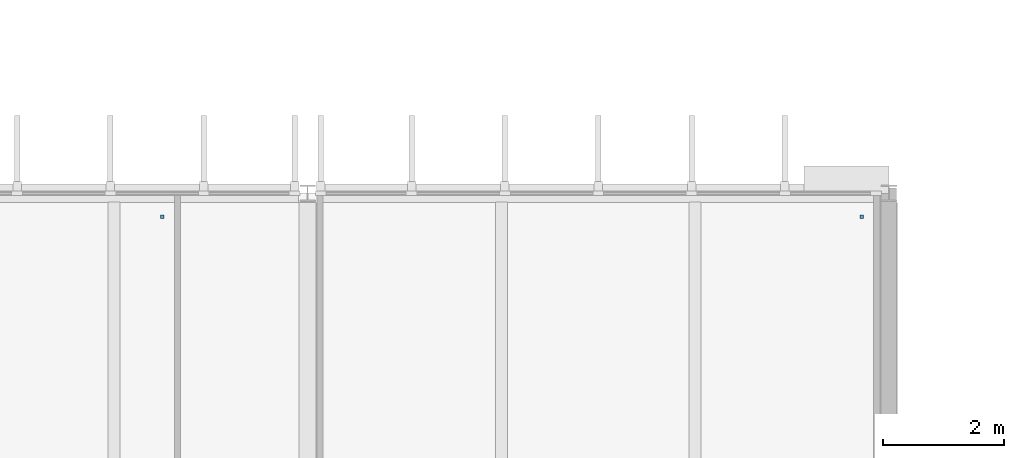
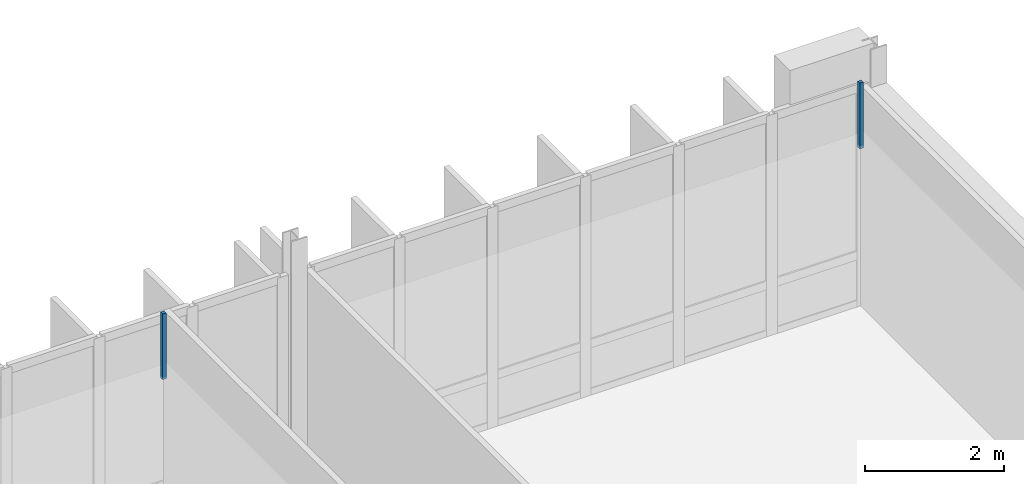
# One storey, part 75 of 93: 2 discrete accessories.
"""IFC4 building model written with IfcOpenShell, lengths in metres."""

from ifc_helpers import new_model, si_unit, direction, frame, origin, place, context, subcontext, project, spatial, polyline, outline, extrude, material, type_object, element, save


model = new_model("IFC4")

# Units and contexts
model_context = context("Model", 3, precision=1e-05, world=origin(), true_north=direction((0.0, 1.0)))
body_context = subcontext(model_context, "Body", "Model", "MODEL_VIEW")
ifc_project = project(units=[si_unit("LENGTHUNIT", "METRE"), si_unit("AREAUNIT", "SQUARE_METRE"), si_unit("VOLUMEUNIT", "CUBIC_METRE"), si_unit("PLANEANGLEUNIT", "RADIAN"), si_unit("MASSUNIT", "GRAM", prefix="KILO")], contexts=[model_context])

# Site, building, storey
site_placement = place(None, origin())
site = spatial("IfcSite", under=ifc_project, at=site_placement, CompositionType="ELEMENT")
building_placement = place(site_placement, origin())
building = spatial("IfcBuilding", under=site, at=building_placement, Name="Dunescarp Central Library", CompositionType="ELEMENT")
storey_placement = place(building_placement, frame((0.0, 0.0, 14.10009765625)))
storey = spatial("IfcBuildingStorey", under=building, at=storey_placement, Name="L03", CompositionType="ELEMENT", Elevation=14.10009765625)

# Discrete accessories
ifc_material = material(Name="Stainless steel Grade 316L", Category="steel")
discrete_accessory_type = type_object("IfcDiscreteAccessoryType", Name="ARC-ACC-BRK", PredefinedType="BRACKET", material=ifc_material)
discrete_accessory_1_placement = place(storey_placement, frame((0.0, 0.0, 3.059814453125)))
element("IfcDiscreteAccessory", 1, at=discrete_accessory_1_placement, inside=storey, type_object=discrete_accessory_type, Name="L03 ceiling hanger CLG-L03-072-H2", PredefinedType="BRACKET", context=body_context, shape_type="SweptSolid", body=[
    extrude(outline(polyline([(76.320068359375, 36.3798828125), (76.3798828125, 36.3798828125), (76.3798828125, 36.43994140625), (76.320068359375, 36.43994140625), (76.320068359375, 36.3798828125)])), origin(), (0.0, 0.0, 1.0), 1.150146484375),
])
discrete_accessory_2_placement = place(storey_placement, frame((0.0, 0.0, 3.059814453125)))
element("IfcDiscreteAccessory", 2, at=discrete_accessory_2_placement, inside=storey, type_object=discrete_accessory_type, Name="L03 ceiling hanger CLG-L03-074-H2", PredefinedType="BRACKET", context=body_context, shape_type="SweptSolid", body=[
    extrude(outline(polyline([(64.77001953125, 36.3798828125), (64.830078125, 36.3798828125), (64.830078125, 36.43994140625), (64.77001953125, 36.43994140625), (64.77001953125, 36.3798828125)])), origin(), (0.0, 0.0, 1.0), 1.150146484375),
])

save(model, "model.ifc")
